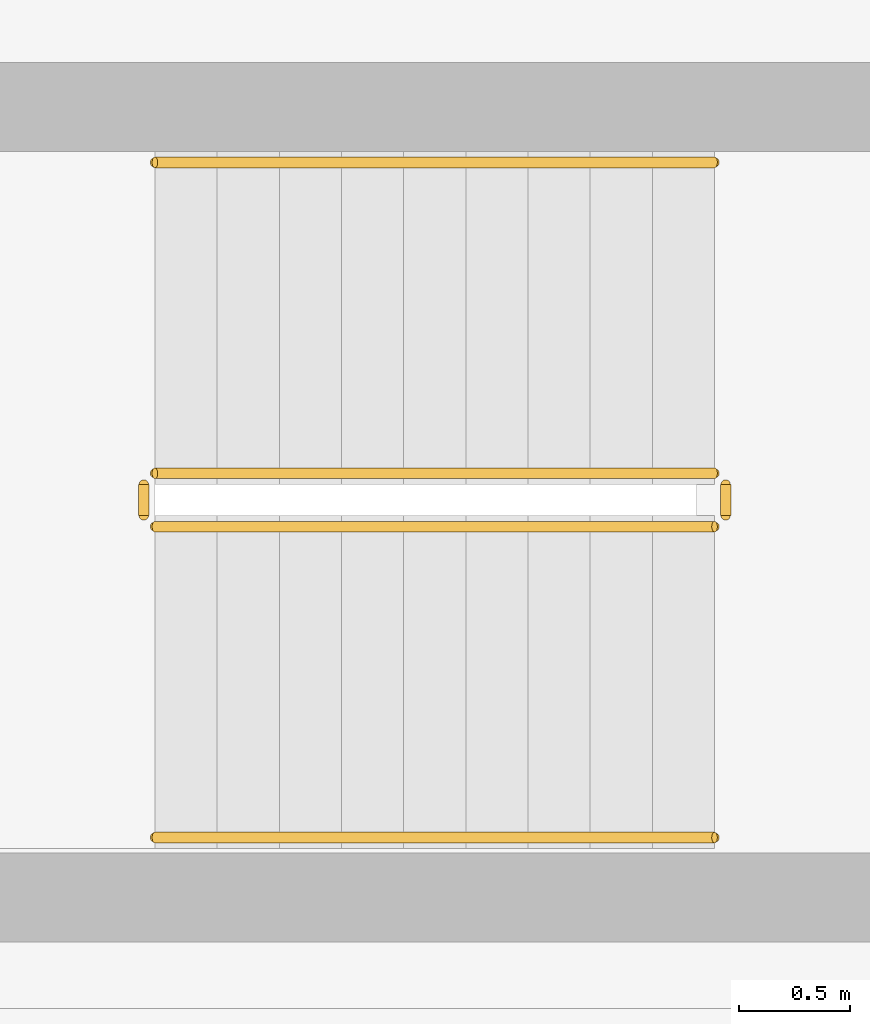
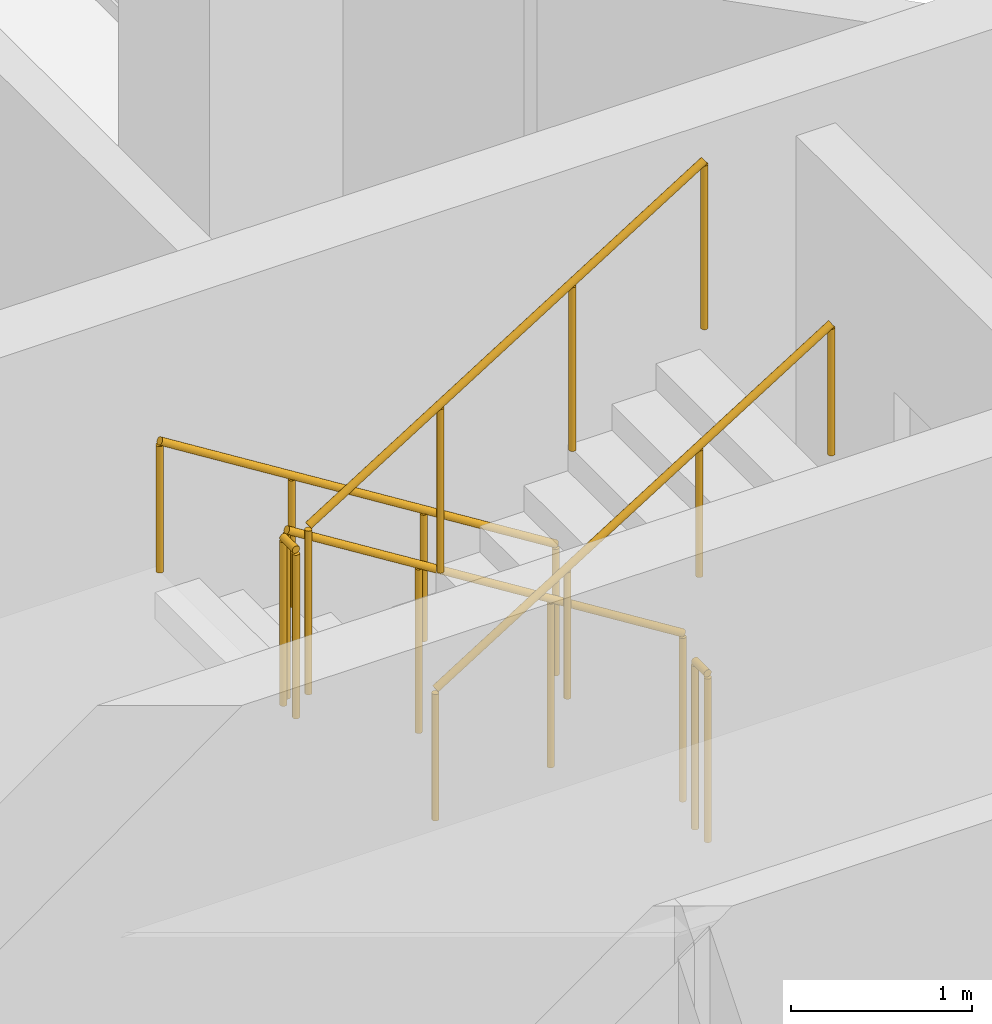
# One storey, part 22 of 26: 6 railings.
"""IFC4 building model written with IfcOpenShell, lengths in metres."""

from ifc_helpers import new_model, si_unit, derived_unit, direction, frame, origin, origin_2d, place, context, subcontext, project, spatial, circle, extrude, material, type_object, element, save


model = new_model("IFC4")

# Units and contexts
model_context = context("Model", 3, precision=1e-05, world=origin(), true_north=direction((0.0, 1.0)))
body_context = subcontext(model_context, "Body", "Model", "MODEL_VIEW")
ifc_project = project(units=[si_unit("LENGTHUNIT", "METRE"), si_unit("AREAUNIT", "SQUARE_METRE"), si_unit("VOLUMEUNIT", "CUBIC_METRE"), si_unit("PLANEANGLEUNIT", "RADIAN"), si_unit("MASSUNIT", "GRAM", prefix="KILO"), derived_unit("THERMALTRANSMITTANCEUNIT", [(si_unit("POWERUNIT", "WATT"), 1), (si_unit("LENGTHUNIT", "METRE"), -2), (si_unit("THERMODYNAMICTEMPERATUREUNIT", "KELVIN"), -1)])], contexts=[model_context])

# Site, building, storey
site_placement = place(None, origin())
site = spatial("IfcSite", under=ifc_project, at=site_placement, CompositionType="ELEMENT")
building_placement = place(site_placement, origin())
building = spatial("IfcBuilding", under=site, at=building_placement, Name="Kivonza Crest Hotel", CompositionType="ELEMENT")
storey_placement = place(building_placement, frame((0.0, 0.0, 98.5)))
storey = spatial("IfcBuildingStorey", under=building, at=storey_placement, Name="L26", CompositionType="ELEMENT", Elevation=98.5)

# Railings
ifc_material_1 = material(Name="Brushed stainless steel handrail", Category="steel")
railing_type_1 = type_object("IfcRailingType", Name="RL-HAND-900", PredefinedType="HANDRAIL", material=ifc_material_1)
railing_1_placement = place(storey_placement, frame((12.239990234375, 16.949951171875, 0.175048828125)))
element("IfcRailing", 1, at=railing_1_placement, inside=storey, type_object=railing_type_1, Name="L26 ST-T1-S stair handrail 1", PredefinedType="HANDRAIL", context=body_context, shape_type="SweptSolid", body=[
    extrude(circle(Radius=0.02392578125, at=origin_2d()), frame((0.0, 0.0, 0.8759765625), z_axis=(-0.848007534815, 0.0, 0.529984170421), x_axis=(0.0, -1.0, 0.0)), (0.0, 0.0, 1.0), 2.9716796875),
    extrude(circle(Radius=0.02099609375, at=origin_2d()), origin(), (0.0, 0.0, 1.0), 0.851806640625),
    extrude(circle(Radius=0.02099609375, at=origin_2d()), frame((-0.840087890625, 0.0, 0.52490234375)), (0.0, 0.0, 1.0), 0.851806640625),
    extrude(circle(Radius=0.02099609375, at=origin_2d()), frame((-1.679931640625, 0.0, 1.050048828125)), (0.0, 0.0, 1.0), 0.851806640625),
    extrude(circle(Radius=0.02099609375, at=origin_2d()), frame((-2.52001953125, 0.0, 1.574951171875)), (0.0, 0.0, 1.0), 0.851806640625),
])
railing_2_placement = place(storey_placement, frame((9.719970703125, 13.909912109375, 1.925048828125)))
element("IfcRailing", 2, at=railing_2_placement, inside=storey, type_object=railing_type_1, Name="L26 ST-T1-S stair handrail 2", PredefinedType="HANDRAIL", context=body_context, shape_type="SweptSolid", body=[
    extrude(circle(Radius=0.02392578125, at=origin_2d()), frame((0.0, 0.0, 0.8759765625), z_axis=(0.848007534815, 0.0, 0.529984170421), x_axis=(0.0, 1.0, 0.0)), (0.0, 0.0, 1.0), 2.9716796875),
    extrude(circle(Radius=0.02099609375, at=origin_2d()), origin(), (0.0, 0.0, 1.0), 0.851806640625),
    extrude(circle(Radius=0.02099609375, at=origin_2d()), frame((0.840087890625, 0.0, 0.52490234375)), (0.0, 0.0, 1.0), 0.851806640625),
    extrude(circle(Radius=0.02099609375, at=origin_2d()), frame((1.679931640625, 0.0, 1.050048828125)), (0.0, 0.0, 1.0), 0.851806640625),
    extrude(circle(Radius=0.02099609375, at=origin_2d()), frame((2.52001953125, 0.0, 1.574951171875)), (0.0, 0.0, 1.0), 0.851806640625),
])
ifc_material_2 = material(Name="Painted steel balustrade", Category="steel")
railing_type_2 = type_object("IfcRailingType", Name="RL-STAIR-1150", PredefinedType="BALUSTRADE", material=ifc_material_2)
railing_3_placement = place(storey_placement, frame((12.239990234375, 15.550048828125, 0.175048828125)))
element("IfcRailing", 3, at=railing_3_placement, inside=storey, type_object=railing_type_2, Name="L26 ST-T1-S stair guard 1", PredefinedType="BALUSTRADE", context=body_context, shape_type="SweptSolid", body=[
    extrude(circle(Radius=0.02392578125, at=origin_2d()), frame((0.0, 0.0, 1.1259765625), z_axis=(-0.848007534815, 0.0, 0.529984170421), x_axis=(0.0, -1.0, 0.0)), (0.0, 0.0, 1.0), 2.9716796875),
    extrude(circle(Radius=0.02099609375, at=origin_2d()), origin(), (0.0, 0.0, 1.0), 1.101806640625),
    extrude(circle(Radius=0.02099609375, at=origin_2d()), frame((-0.840087890625, 0.0, 0.52490234375)), (0.0, 0.0, 1.0), 1.101806640625),
    extrude(circle(Radius=0.02099609375, at=origin_2d()), frame((-1.679931640625, 0.0, 1.050048828125)), (0.0, 0.0, 1.0), 1.101806640625),
    extrude(circle(Radius=0.02099609375, at=origin_2d()), frame((-2.52001953125, 0.0, 1.574951171875)), (0.0, 0.0, 1.0), 1.101806640625),
])
railing_4_placement = place(storey_placement, frame((9.669921875, 15.5, 1.75)))
element("IfcRailing", 4, at=railing_4_placement, inside=storey, type_object=railing_type_2, Name="L26 ST-T1-S stair guard 2", PredefinedType="BALUSTRADE", context=body_context, shape_type="SweptSolid", body=[
    extrude(circle(Radius=0.02392578125, at=origin_2d()), frame((0.0, 0.0, 1.1259765625), z_axis=(0.0, -1.0, 0.0), x_axis=(1.0, 0.0, 0.0)), (0.0, 0.0, 1.0), 0.139892578125),
    extrude(circle(Radius=0.02099609375, at=origin_2d()), origin(), (0.0, 0.0, 1.0), 1.101806640625),
    extrude(circle(Radius=0.02099609375, at=origin_2d()), frame((0.0, -0.139892578125, 0.0)), (0.0, 0.0, 1.0), 1.101806640625),
])
railing_5_placement = place(storey_placement, frame((9.719970703125, 15.31005859375, 1.925048828125)))
element("IfcRailing", 5, at=railing_5_placement, inside=storey, type_object=railing_type_2, Name="L26 ST-T1-S stair guard 3", PredefinedType="BALUSTRADE", context=body_context, shape_type="SweptSolid", body=[
    extrude(circle(Radius=0.02392578125, at=origin_2d()), frame((0.0, 0.0, 1.1259765625), z_axis=(0.848007534815, 0.0, 0.529984170421), x_axis=(0.0, 1.0, 0.0)), (0.0, 0.0, 1.0), 2.9716796875),
    extrude(circle(Radius=0.02099609375, at=origin_2d()), origin(), (0.0, 0.0, 1.0), 1.101806640625),
    extrude(circle(Radius=0.02099609375, at=origin_2d()), frame((0.840087890625, 0.0, 0.52490234375)), (0.0, 0.0, 1.0), 1.101806640625),
    extrude(circle(Radius=0.02099609375, at=origin_2d()), frame((1.679931640625, 0.0, 1.050048828125)), (0.0, 0.0, 1.0), 1.101806640625),
    extrude(circle(Radius=0.02099609375, at=origin_2d()), frame((2.52001953125, 0.0, 1.574951171875)), (0.0, 0.0, 1.0), 1.101806640625),
])
railing_6_placement = place(storey_placement, frame((12.2900390625, 15.5, 0.0)))
element("IfcRailing", 6, at=railing_6_placement, inside=storey, type_object=railing_type_2, Name="L26 ST-T1-S stair guard 4", PredefinedType="BALUSTRADE", context=body_context, shape_type="SweptSolid", body=[
    extrude(circle(Radius=0.02392578125, at=origin_2d()), frame((0.0, 0.0, 1.1259765625), z_axis=(0.0, -1.0, 0.0), x_axis=(1.0, 0.0, 0.0)), (0.0, 0.0, 1.0), 0.139892578125),
    extrude(circle(Radius=0.02099609375, at=origin_2d()), origin(), (0.0, 0.0, 1.0), 1.101806640625),
    extrude(circle(Radius=0.02099609375, at=origin_2d()), frame((0.0, -0.139892578125, 0.0)), (0.0, 0.0, 1.0), 1.101806640625),
])

save(model, "model.ifc")
